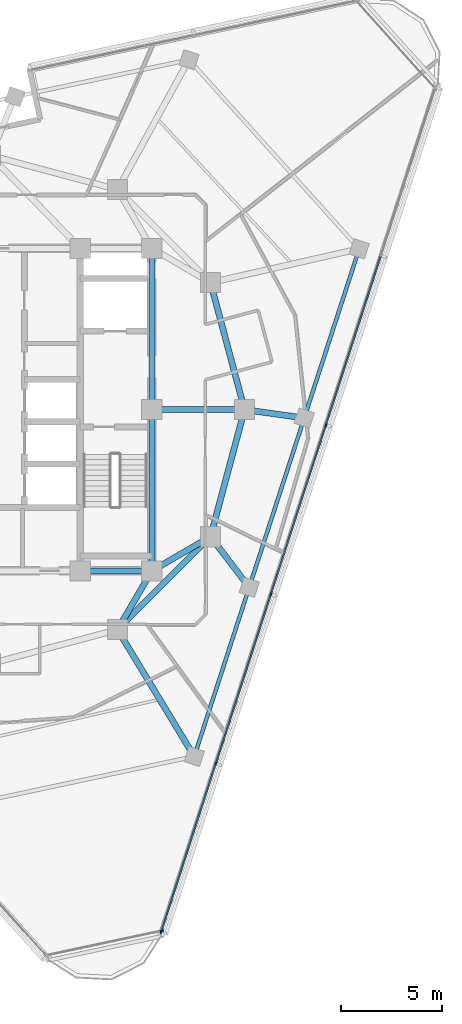
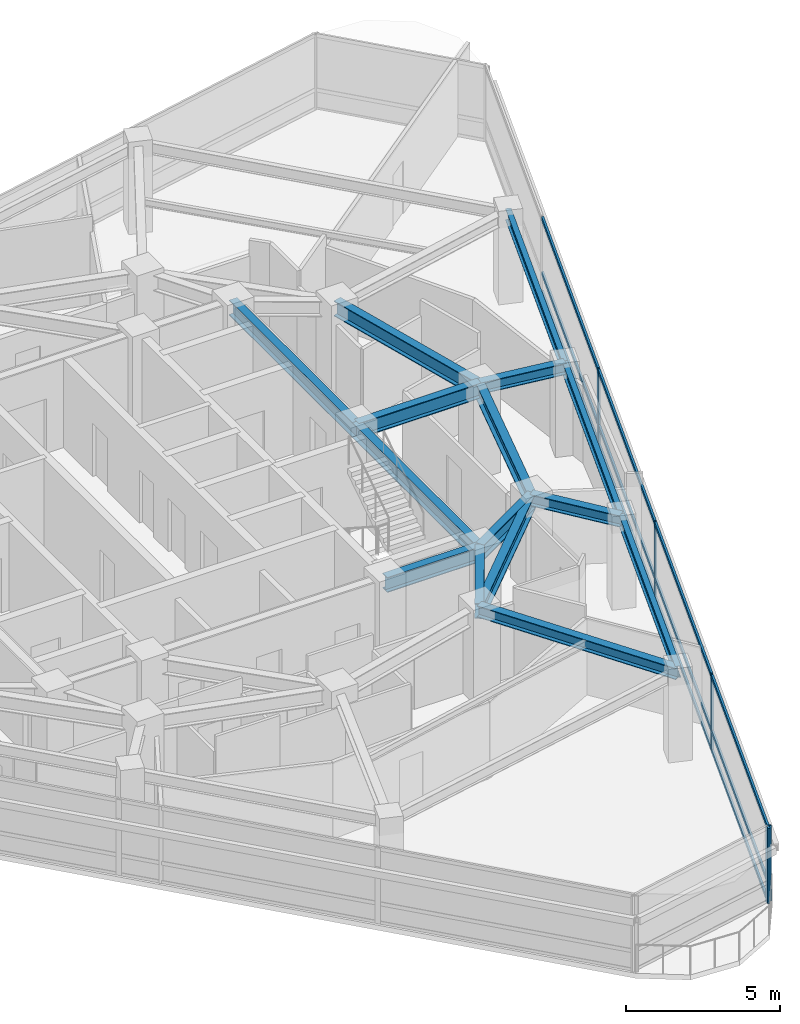
# One storey, part 4 of 15: 17 members, 15 beams, 2 elements without a shape of their own.
"""IFC4 building model written with IfcOpenShell, lengths in metres."""

from ifc_helpers import new_model, si_unit, direction, frame, origin, origin_2d, place, context, subcontext, project, spatial, rectangle, i_section, extrude, material, layer, layer_set, material_profile, profile_set, type_object, element, aggregate, save


model = new_model("IFC4")

# Units and contexts
model_context = context("Model", 3, precision=1e-05, world=origin(), true_north=direction((0.0, 1.0)))
body_context = subcontext(model_context, "Body", "Model", "MODEL_VIEW")
ifc_project = project(units=[si_unit("LENGTHUNIT", "METRE"), si_unit("AREAUNIT", "SQUARE_METRE"), si_unit("VOLUMEUNIT", "CUBIC_METRE"), si_unit("PLANEANGLEUNIT", "RADIAN"), si_unit("MASSUNIT", "GRAM", prefix="KILO")], contexts=[model_context])

# Site, building, storey
site_placement = place(None, origin())
site = spatial("IfcSite", under=ifc_project, at=site_placement, CompositionType="ELEMENT")
building_placement = place(site_placement, origin())
building = spatial("IfcBuilding", under=site, at=building_placement, Name="Terralouvre Media Tower", CompositionType="ELEMENT")
storey_placement = place(building_placement, frame((0.0, 0.0, 301.699951171875)))
storey = spatial("IfcBuildingStorey", under=building, at=storey_placement, Name="L78", CompositionType="ELEMENT", Elevation=301.699951171875)

# Curtain wall, members
ifc_material_1 = material(Name="Low-iron laminated double glazing with solar-control coating", Category="glass")
ifc_layer_1 = layer(ifc_material_1, 0.1650390625, Name="Faceted Glass-Point Crown Curtain Wall CW-06")
ifc_layer_set_1 = layer_set([ifc_layer_1], Name="Low-iron laminated double glazing with solar-control coating")
curtain_wall_type_1 = type_object("IfcCurtainWallType", Name="Faceted Glass-Point Crown Curtain Wall CW-06", PredefinedType="NOTDEFINED", material=ifc_layer_set_1)
curtain_wall_1_placement = place(storey_placement, origin())
curtain_wall_1 = element("IfcCurtainWall", 1, at=curtain_wall_1_placement, inside=storey, type_object=curtain_wall_type_1, Name="L78 Facade Curtain Wall F0", PredefinedType="NOTDEFINED")
ifc_material_2 = material(Name="Anodised extruded aluminium 6063-T6", Category="aluminium")
ifc_material_profile_1 = material_profile(ifc_material_2, rectangle(XDim=0.074951171875, YDim=0.14990234375, at=origin_2d()), Name="ALU 75x150")
ifc_profile_set_1 = profile_set([ifc_material_profile_1], Name="Anodised extruded aluminium 6063-T6")
member_type_1 = type_object("IfcMemberType", Name="Curtain-Wall Horizontal Transom TR-150", PredefinedType="USERDEFINED", material=ifc_profile_set_1)
member_1_placement = place(storey_placement, frame((8.476806640625, -25.87060546875, 0.03759765625), z_axis=(0.309004958377, 0.951060426944, 0.0), x_axis=(-0.951060426944, 0.309004958377, 0.0)))
member_1 = element("IfcMember", 2, at=member_1_placement, type_object=member_type_1, Name="CW-06 transom 1.1", ObjectType="TRANSOM", PredefinedType="USERDEFINED", context=body_context, shape_type="SweptSolid", body=[
    extrude(rectangle(XDim=0.074951171875, YDim=0.14990234375, at=origin_2d()), origin(), (0.0, 0.0, 1.0), 8.71142578125),
])
member_2_placement = place(storey_placement, frame((8.476806640625, -25.87060546875, 0.800048828125), z_axis=(0.309004958377, 0.951060426944, 0.0), x_axis=(-0.951060426944, 0.309004958377, 0.0)))
member_2 = element("IfcMember", 3, at=member_2_placement, type_object=member_type_1, Name="CW-06 transom 1.2", ObjectType="TRANSOM", PredefinedType="USERDEFINED", context=body_context, shape_type="SweptSolid", body=[
    extrude(rectangle(XDim=0.074951171875, YDim=0.14990234375, at=origin_2d()), origin(), (0.0, 0.0, 1.0), 8.71142578125),
])
member_3_placement = place(storey_placement, frame((8.476806640625, -25.87060546875, 2.962646484375), z_axis=(0.309004958377, 0.951060426944, 0.0), x_axis=(-0.951060426944, 0.309004958377, 0.0)))
member_3 = element("IfcMember", 4, at=member_3_placement, type_object=member_type_1, Name="CW-06 transom 1.3", ObjectType="TRANSOM", PredefinedType="USERDEFINED", context=body_context, shape_type="SweptSolid", body=[
    extrude(rectangle(XDim=0.074951171875, YDim=0.14990234375, at=origin_2d()), origin(), (0.0, 0.0, 1.0), 8.71142578125),
])
member_4_placement = place(storey_placement, frame((11.19189453125, -17.51416015625, 0.03759765625), z_axis=(0.309019188079, 0.951055803515, 0.0), x_axis=(-0.951055803515, 0.309019188079, 0.0)))
member_4 = element("IfcMember", 5, at=member_4_placement, type_object=member_type_1, Name="CW-06 transom 2.1", ObjectType="TRANSOM", PredefinedType="USERDEFINED", context=body_context, shape_type="SweptSolid", body=[
    extrude(rectangle(XDim=0.074951171875, YDim=0.14990234375, at=origin_2d()), origin(), (0.0, 0.0, 1.0), 8.7490234375),
])
member_5_placement = place(storey_placement, frame((11.19189453125, -17.51416015625, 0.800048828125), z_axis=(0.309019188079, 0.951055803515, 0.0), x_axis=(-0.951055803515, 0.309019188079, 0.0)))
member_5 = element("IfcMember", 6, at=member_5_placement, type_object=member_type_1, Name="CW-06 transom 2.2", ObjectType="TRANSOM", PredefinedType="USERDEFINED", context=body_context, shape_type="SweptSolid", body=[
    extrude(rectangle(XDim=0.074951171875, YDim=0.14990234375, at=origin_2d()), origin(), (0.0, 0.0, 1.0), 8.7490234375),
])
member_6_placement = place(storey_placement, frame((11.19189453125, -17.51416015625, 2.962646484375), z_axis=(0.309019188079, 0.951055803515, 0.0), x_axis=(-0.951055803515, 0.309019188079, 0.0)))
member_6 = element("IfcMember", 7, at=member_6_placement, type_object=member_type_1, Name="CW-06 transom 2.3", ObjectType="TRANSOM", PredefinedType="USERDEFINED", context=body_context, shape_type="SweptSolid", body=[
    extrude(rectangle(XDim=0.074951171875, YDim=0.14990234375, at=origin_2d()), origin(), (0.0, 0.0, 1.0), 8.7490234375),
])
member_7_placement = place(storey_placement, frame((13.918701171875, -9.1220703125, 0.03759765625), z_axis=(0.309019188079, 0.951055803515, 0.0), x_axis=(-0.951055803515, 0.309019188079, 0.0)))
member_7 = element("IfcMember", 8, at=member_7_placement, type_object=member_type_1, Name="CW-06 transom 3.1", ObjectType="TRANSOM", PredefinedType="USERDEFINED", context=body_context, shape_type="SweptSolid", body=[
    extrude(rectangle(XDim=0.074951171875, YDim=0.14990234375, at=origin_2d()), origin(), (0.0, 0.0, 1.0), 8.7490234375),
])
member_8_placement = place(storey_placement, frame((13.918701171875, -9.1220703125, 0.800048828125), z_axis=(0.309019188079, 0.951055803515, 0.0), x_axis=(-0.951055803515, 0.309019188079, 0.0)))
member_8 = element("IfcMember", 9, at=member_8_placement, type_object=member_type_1, Name="CW-06 transom 3.2", ObjectType="TRANSOM", PredefinedType="USERDEFINED", context=body_context, shape_type="SweptSolid", body=[
    extrude(rectangle(XDim=0.074951171875, YDim=0.14990234375, at=origin_2d()), origin(), (0.0, 0.0, 1.0), 8.7490234375),
])
member_9_placement = place(storey_placement, frame((13.918701171875, -9.1220703125, 2.962646484375), z_axis=(0.309019188079, 0.951055803515, 0.0), x_axis=(-0.951055803515, 0.309019188079, 0.0)))
member_9 = element("IfcMember", 10, at=member_9_placement, type_object=member_type_1, Name="CW-06 transom 3.3", ObjectType="TRANSOM", PredefinedType="USERDEFINED", context=body_context, shape_type="SweptSolid", body=[
    extrude(rectangle(XDim=0.074951171875, YDim=0.14990234375, at=origin_2d()), origin(), (0.0, 0.0, 1.0), 8.7490234375),
])
member_10_placement = place(storey_placement, frame((16.6455078125, -0.72998046875, 0.03759765625), z_axis=(0.309019188079, 0.951055803515, 0.0), x_axis=(-0.951055803515, 0.309019188079, 0.0)))
member_10 = element("IfcMember", 11, at=member_10_placement, type_object=member_type_1, Name="CW-06 transom 4.1", ObjectType="TRANSOM", PredefinedType="USERDEFINED", context=body_context, shape_type="SweptSolid", body=[
    extrude(rectangle(XDim=0.074951171875, YDim=0.14990234375, at=origin_2d()), origin(), (0.0, 0.0, 1.0), 8.7490234375),
])
member_11_placement = place(storey_placement, frame((16.6455078125, -0.72998046875, 0.800048828125), z_axis=(0.309019188079, 0.951055803515, 0.0), x_axis=(-0.951055803515, 0.309019188079, 0.0)))
member_11 = element("IfcMember", 12, at=member_11_placement, type_object=member_type_1, Name="CW-06 transom 4.2", ObjectType="TRANSOM", PredefinedType="USERDEFINED", context=body_context, shape_type="SweptSolid", body=[
    extrude(rectangle(XDim=0.074951171875, YDim=0.14990234375, at=origin_2d()), origin(), (0.0, 0.0, 1.0), 8.7490234375),
])
member_12_placement = place(storey_placement, frame((16.6455078125, -0.72998046875, 2.962646484375), z_axis=(0.309019188079, 0.951055803515, 0.0), x_axis=(-0.951055803515, 0.309019188079, 0.0)))
member_12 = element("IfcMember", 13, at=member_12_placement, type_object=member_type_1, Name="CW-06 transom 4.3", ObjectType="TRANSOM", PredefinedType="USERDEFINED", context=body_context, shape_type="SweptSolid", body=[
    extrude(rectangle(XDim=0.074951171875, YDim=0.14990234375, at=origin_2d()), origin(), (0.0, 0.0, 1.0), 8.7490234375),
])
ifc_material_3 = material(Name="Anodised extruded aluminium 6063-T6", Category="aluminium")
ifc_material_profile_2 = material_profile(ifc_material_3, rectangle(XDim=0.074951171875, YDim=0.179931640625, at=origin_2d()), Name="ALU 75x180")
ifc_profile_set_2 = profile_set([ifc_material_profile_2], Name="Anodised extruded aluminium 6063-T6")
member_type_2 = type_object("IfcMemberType", Name="Curtain-Wall Vertical Mullion ML-180", PredefinedType="MULLION", material=ifc_profile_set_2)
member_13_placement = place(storey_placement, frame((8.465087890625, -25.90625, 0.0), z_axis=(0.0, 0.0, 1.0), x_axis=(-0.951056507337, 0.309017021946, 0.0)))
member_13 = element("IfcMember", 14, at=member_13_placement, type_object=member_type_2, Name="CW-06 mullion 1", PredefinedType="MULLION", context=body_context, shape_type="SweptSolid", body=[
    extrude(rectangle(XDim=0.074951171875, YDim=0.179931640625, at=origin_2d()), origin(), (0.0, 0.0, 1.0), 3.0),
])
member_14_placement = place(storey_placement, frame((11.180419921875, -17.5498046875, 0.0), z_axis=(0.0, 0.0, 1.0), x_axis=(-0.951056507337, 0.309017021946, 0.0)))
member_14 = element("IfcMember", 15, at=member_14_placement, type_object=member_type_2, Name="CW-06 mullion 2", PredefinedType="MULLION", context=body_context, shape_type="SweptSolid", body=[
    extrude(rectangle(XDim=0.074951171875, YDim=0.179931640625, at=origin_2d()), origin(), (0.0, 0.0, 1.0), 3.0),
])
member_15_placement = place(storey_placement, frame((13.9072265625, -9.15771484375, 0.0), z_axis=(0.0, 0.0, 1.0), x_axis=(-0.951056507337, 0.309017021946, 0.0)))
member_15 = element("IfcMember", 16, at=member_15_placement, type_object=member_type_2, Name="CW-06 mullion 3", PredefinedType="MULLION", context=body_context, shape_type="SweptSolid", body=[
    extrude(rectangle(XDim=0.074951171875, YDim=0.179931640625, at=origin_2d()), origin(), (0.0, 0.0, 1.0), 3.0),
])
member_16_placement = place(storey_placement, frame((16.6337890625, -0.765625, 0.0), z_axis=(0.0, 0.0, 1.0), x_axis=(-0.951056507337, 0.309017021946, 0.0)))
member_16 = element("IfcMember", 17, at=member_16_placement, type_object=member_type_2, Name="CW-06 mullion 4", PredefinedType="MULLION", context=body_context, shape_type="SweptSolid", body=[
    extrude(rectangle(XDim=0.074951171875, YDim=0.179931640625, at=origin_2d()), origin(), (0.0, 0.0, 1.0), 3.0),
])
aggregate(curtain_wall_1, [member_13, member_14, member_15, member_16, member_1, member_2, member_3, member_4, member_5, member_6, member_7, member_8, member_9, member_10, member_11, member_12])

# Curtain wall, member
ifc_material_4 = material(Name="Low-iron laminated double glazing with solar-control coating", Category="glass")
ifc_layer_2 = layer(ifc_material_4, 0.1650390625, Name="Rounded Wind-Corner Curved Glazing CW-04")
ifc_layer_set_2 = layer_set([ifc_layer_2], Name="Low-iron laminated double glazing with solar-control coating")
curtain_wall_type_2 = type_object("IfcCurtainWallType", Name="Rounded Wind-Corner Curved Glazing CW-04", PredefinedType="NOTDEFINED", material=ifc_layer_set_2)
curtain_wall_2_placement = place(storey_placement, origin())
curtain_wall_2 = element("IfcCurtainWall", 18, at=curtain_wall_2_placement, inside=storey, type_object=curtain_wall_type_2, Name="L78 Rounded Wind-Corner Curtain Wall C0", PredefinedType="NOTDEFINED")
member_17_placement = place(storey_placement, frame((8.501953125, -25.849853515625, 0.0), z_axis=(0.0, 0.0, 1.0), x_axis=(-0.207911647592, 0.978147609922, 0.0)))
member_17 = element("IfcMember", 19, at=member_17_placement, type_object=member_type_2, Name="CW-04 mullion 2", PredefinedType="MULLION", context=body_context, shape_type="SweptSolid", body=[
    extrude(rectangle(XDim=0.074951171875, YDim=0.179931640625, at=origin_2d()), origin(), (0.0, 0.0, 1.0), 3.0),
])
aggregate(curtain_wall_2, [member_17])

# Beams
ifc_material_5 = material(Name="Structural steel S355J2", Category="steel")
ifc_material_profile_3 = material_profile(ifc_material_5, i_section(OverallWidth=0.18994140625, OverallDepth=0.449951171875, WebThickness=0.009521484375, FlangeThickness=0.0146484375, at=origin_2d()), Name="IPE 450")
ifc_profile_set_3 = profile_set([ifc_material_profile_3], Name="Structural steel S355J2")
beam_type_1 = type_object("IfcBeamType", Name="Perimeter Spandrel Beam SPB-450 (IPE 450)", PredefinedType="SPANDREL", material=ifc_profile_set_3)
for number, where, z_axis, x_axis, name in (
    (20, (10.105712890625, -17.20068359375, 3.275146484375), (0.309022258842, 0.95105480575, 0.0), (-0.95105480575, 0.309022258842, 0.0), "L78 Framing Beam BM-L78-PR05"),
    (21, (12.83251953125, -8.80859375, 3.275146484375), (0.308997232802, 0.951062936992, 0.0), (-0.951062936992, 0.308997232802, 0.0), "L78 Framing Beam BM-L78-PR06"),
):
    element("IfcBeam", number, at=place(storey_placement, frame(where, z_axis=z_axis, x_axis=x_axis)), inside=storey, type_object=beam_type_1, Name=name, PredefinedType="SPANDREL", context=body_context, shape_type="SweptSolid", body=[
        extrude(i_section(OverallWidth=0.18994140625, OverallDepth=0.449951171875, WebThickness=0.009521484375, FlangeThickness=0.0146484375, at=origin_2d()), origin(), (0.0, 0.0, 1.0), 8.823974609375),
    ])
beam_1_placement = place(storey_placement, frame((15.55908203125, -0.41650390625, 3.275146484375), z_axis=(0.309014127542, 0.951057447781, 0.0), x_axis=(-0.951057447781, 0.309014127542, 0.0)))
element("IfcBeam", 22, at=beam_1_placement, inside=storey, type_object=beam_type_1, Name="L78 Framing Beam BM-L78-PR07", PredefinedType="SPANDREL", context=body_context, shape_type="SweptSolid", body=[
    extrude(i_section(OverallWidth=0.18994140625, OverallDepth=0.449951171875, WebThickness=0.009521484375, FlangeThickness=0.0146484375, at=origin_2d()), origin(), (0.0, 0.0, 1.0), 8.82421875),
])
ifc_material_6 = material(Name="Structural steel S355J2", Category="steel")
ifc_material_profile_4 = material_profile(ifc_material_6, i_section(OverallWidth=0.300048828125, OverallDepth=0.449951171875, WebThickness=0.013916015625, FlangeThickness=0.02587890625, at=origin_2d()), Name="HEB 450")
ifc_profile_set_4 = profile_set([ifc_material_profile_4], Name="Structural steel S355J2")
beam_type_2 = type_object("IfcBeamType", Name="Primary Floor Girder B-HEB450 (HEB 450)", PredefinedType="BEAM", material=ifc_profile_set_4)
beam_2_placement = place(storey_placement, frame((6.300048828125, -10.911865234375, 3.275146484375), z_axis=(0.517730392552, -0.855543827415, 0.0), x_axis=(0.855543827415, 0.517730392552, 0.0)))
element("IfcBeam", 23, at=beam_2_placement, inside=storey, type_object=beam_type_2, Name="L78 Framing Beam BM-L78-RD05", PredefinedType="BEAM", context=body_context, shape_type="SweptSolid", body=[
    extrude(i_section(OverallWidth=0.300048828125, OverallDepth=0.449951171875, WebThickness=0.013916015625, FlangeThickness=0.02587890625, at=origin_2d()), origin(), (0.0, 0.0, 1.0), 7.3505859375),
])
beam_3_placement = place(storey_placement, frame((10.911865234375, -6.300048828125, 3.275146484375), z_axis=(0.607920398404, -0.793997978086, 0.0), x_axis=(0.793997978086, 0.607920398404, 0.0)))
element("IfcBeam", 24, at=beam_3_placement, inside=storey, type_object=beam_type_2, Name="L78 Framing Beam BM-L78-RD06", PredefinedType="BEAM", context=body_context, shape_type="SweptSolid", body=[
    extrude(i_section(OverallWidth=0.300048828125, OverallDepth=0.449951171875, WebThickness=0.013916015625, FlangeThickness=0.02587890625, at=origin_2d()), origin(), (0.0, 0.0, 1.0), 3.159423828125),
])
beam_4_placement = place(storey_placement, frame((12.60009765625, 0.0, 3.275146484375), z_axis=(0.990238261961, -0.139385022682, 0.0), x_axis=(0.139385022682, 0.990238261961, 0.0)))
element("IfcBeam", 25, at=beam_4_placement, inside=storey, type_object=beam_type_2, Name="L78 Framing Beam BM-L78-RD07", PredefinedType="BEAM", context=body_context, shape_type="SweptSolid", body=[
    extrude(i_section(OverallWidth=0.300048828125, OverallDepth=0.449951171875, WebThickness=0.013916015625, FlangeThickness=0.02587890625, at=origin_2d()), origin(), (0.0, 0.0, 1.0), 2.988037109375),
])
ifc_material_7 = material(Name="Structural steel S460M", Category="steel")
ifc_material_profile_5 = material_profile(ifc_material_7, i_section(OverallWidth=0.300048828125, OverallDepth=0.60009765625, WebThickness=0.015380859375, FlangeThickness=0.030029296875, at=origin_2d()), Name="HEB 600")
ifc_profile_set_5 = profile_set([ifc_material_profile_5], Name="Structural steel S460M")
beam_type_3 = type_object("IfcBeamType", Name="Primary Floor Girder B-HEB600 (HEB 600)", PredefinedType="BEAM", material=ifc_profile_set_5)
beam_5_placement = place(storey_placement, frame((4.449951171875, -8.0, 3.199951171875), z_axis=(1.0, 0.0, 0.0), x_axis=(0.0, 1.0, 0.0)))
element("IfcBeam", 26, at=beam_5_placement, inside=storey, type_object=beam_type_3, Name="L78 Framing Beam BM-L78-CPR03", PredefinedType="BEAM", context=body_context, shape_type="SweptSolid", body=[
    extrude(i_section(OverallWidth=0.300048828125, OverallDepth=0.60009765625, WebThickness=0.015380859375, FlangeThickness=0.030029296875, at=origin_2d()), origin(), (0.0, 0.0, 1.0), 3.550048828125),
])
for number, where, z_axis, x_axis, name in (
    (27, (8.0, -8.0, 3.199951171875), (0.0, 1.0, 0.0), (-1.0, 0.0, 0.0), "L78 Framing Beam BM-L78-CPR04"),
    (28, (8.0, 0.0, 3.199951171875), (0.0, 1.0, 0.0), (-1.0, 0.0, 0.0), "L78 Framing Beam BM-L78-CPR05"),
):
    element("IfcBeam", number, at=place(storey_placement, frame(where, z_axis=z_axis, x_axis=x_axis)), inside=storey, type_object=beam_type_3, Name=name, PredefinedType="BEAM", context=body_context, shape_type="SweptSolid", body=[
        extrude(i_section(OverallWidth=0.300048828125, OverallDepth=0.60009765625, WebThickness=0.015380859375, FlangeThickness=0.030029296875, at=origin_2d()), origin(), (0.0, 0.0, 1.0), 8.0),
    ])
beam_6_placement = place(storey_placement, frame((6.300048828125, -10.911865234375, 3.199951171875), z_axis=(0.707106781187, 0.707106781187, 0.0), x_axis=(-0.707106781187, 0.707106781187, 0.0)))
element("IfcBeam", 29, at=beam_6_placement, inside=storey, type_object=beam_type_3, Name="L78 Framing Beam BM-L78-MR04", PredefinedType="BEAM", context=body_context, shape_type="SweptSolid", body=[
    extrude(i_section(OverallWidth=0.300048828125, OverallDepth=0.60009765625, WebThickness=0.015380859375, FlangeThickness=0.030029296875, at=origin_2d()), origin(), (0.0, 0.0, 1.0), 6.52197265625),
])
for number, where, z_axis, x_axis, name in (
    (30, (10.911865234375, -6.300048828125, 3.199951171875), (0.258838989821, 0.965920481897, 0.0), (-0.965920481897, 0.258838989821, 0.0), "L78 Framing Beam BM-L78-MR05"),
    (31, (12.60009765625, 0.0, 3.199951171875), (-0.258838989821, 0.965920481897, 0.0), (-0.965920481897, -0.258838989821, 0.0), "L78 Framing Beam BM-L78-MR06"),
):
    element("IfcBeam", number, at=place(storey_placement, frame(where, z_axis=z_axis, x_axis=x_axis)), inside=storey, type_object=beam_type_3, Name=name, PredefinedType="BEAM", context=body_context, shape_type="SweptSolid", body=[
        extrude(i_section(OverallWidth=0.300048828125, OverallDepth=0.60009765625, WebThickness=0.015380859375, FlangeThickness=0.030029296875, at=origin_2d()), origin(), (0.0, 0.0, 1.0), 6.522216796875),
    ])
for number, where, z_axis, x_axis, name in (
    (32, (8.0, -8.0, 3.199951171875), (-0.504172629717, -0.863602894532, 0.0), (0.863602894532, -0.504172629717, 0.0), "L78 Framing Beam BM-L78-CM04"),
    (33, (8.0, -8.0, 3.199951171875), (0.863602894532, 0.504172629717, 0.0), (-0.504172629717, 0.863602894532, 0.0), "L78 Framing Beam BM-L78-CM05"),
):
    element("IfcBeam", number, at=place(storey_placement, frame(where, z_axis=z_axis, x_axis=x_axis)), inside=storey, type_object=beam_type_3, Name=name, PredefinedType="BEAM", context=body_context, shape_type="SweptSolid", body=[
        extrude(i_section(OverallWidth=0.300048828125, OverallDepth=0.60009765625, WebThickness=0.015380859375, FlangeThickness=0.030029296875, at=origin_2d()), origin(), (0.0, 0.0, 1.0), 3.371826171875),
    ])
beam_7_placement = place(storey_placement, frame((8.0, 0.0, 3.199951171875), z_axis=(1.0, 0.0, 0.0), x_axis=(0.0, 1.0, 0.0)))
element("IfcBeam", 34, at=beam_7_placement, inside=storey, type_object=beam_type_3, Name="L78 Framing Beam BM-L78-CM06", PredefinedType="BEAM", context=body_context, shape_type="SweptSolid", body=[
    extrude(i_section(OverallWidth=0.300048828125, OverallDepth=0.60009765625, WebThickness=0.015380859375, FlangeThickness=0.030029296875, at=origin_2d()), origin(), (0.0, 0.0, 1.0), 4.60009765625),
])

save(model, "model.ifc")
